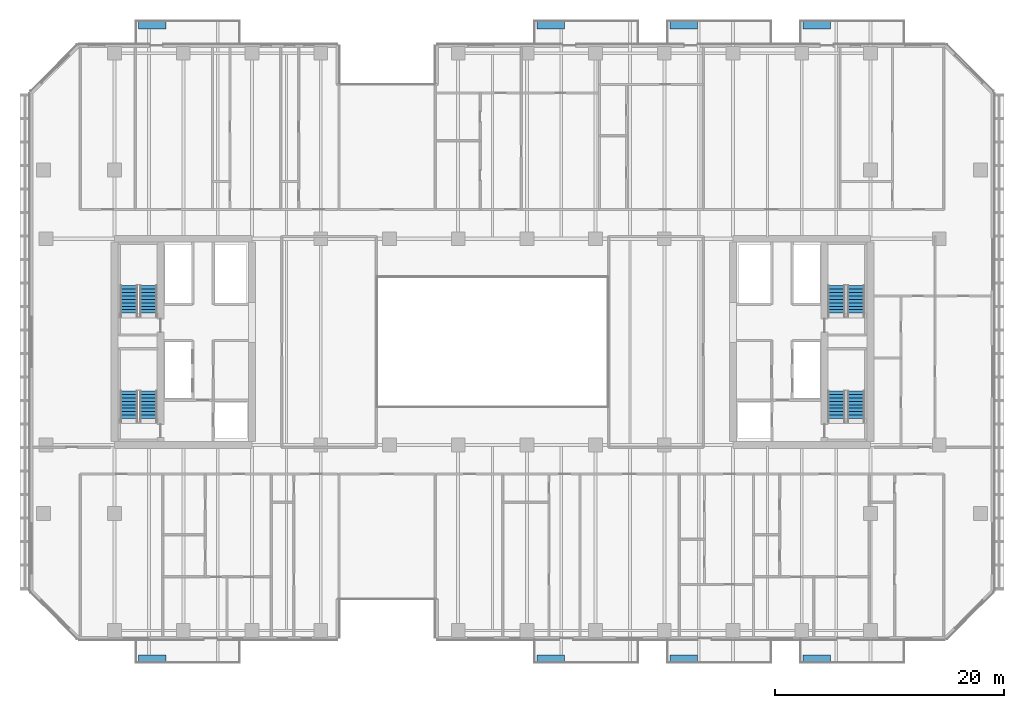
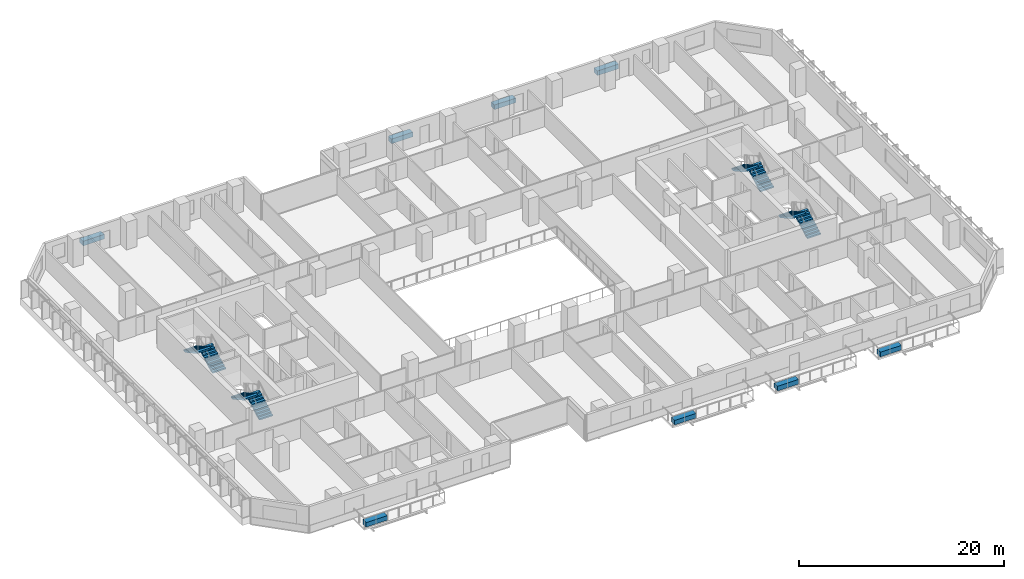
# One storey, part 17 of 26: 8 discrete accessories, 8 stair flights, 4 elements without a shape of their own.
"""IFC4 building model written with IfcOpenShell, lengths in metres."""

from ifc_helpers import new_model, si_unit, direction, frame, origin, origin_2d, place, context, subcontext, project, spatial, polyline, rectangle, outline, extrude, material, type_object, element, aggregate, save


model = new_model("IFC4")

# Units and contexts
model_context = context("Model", 3, precision=1e-05, world=origin(), true_north=direction((0.0, 1.0)))
body_context = subcontext(model_context, "Body", "Model", "MODEL_VIEW")
ifc_project = project(units=[si_unit("LENGTHUNIT", "METRE"), si_unit("AREAUNIT", "SQUARE_METRE"), si_unit("VOLUMEUNIT", "CUBIC_METRE"), si_unit("PLANEANGLEUNIT", "RADIAN"), si_unit("MASSUNIT", "GRAM", prefix="KILO")], contexts=[model_context])

# Site, building, storey
site_placement = place(None, origin())
site = spatial("IfcSite", under=ifc_project, at=site_placement, CompositionType="ELEMENT")
building_placement = place(site_placement, origin())
building = spatial("IfcBuilding", under=site, at=building_placement, Name="Tanjung Sevakor Pilgrim Tower", CompositionType="ELEMENT")
storey_placement = place(building_placement, frame((0.0, 0.0, 48.840087890625)))
storey = spatial("IfcBuildingStorey", under=building, at=storey_placement, Name="L13", CompositionType="ELEMENT", Elevation=48.840087890625)

# Stair, stair flights
ifc_material_1 = material(Name="Concrete C40/50", Category="concrete")
stair_type = type_object("IfcStairType", Name="STAIR-ST-CR150", PredefinedType="HALF_TURN_STAIR", material=ifc_material_1)
stair_1_placement = place(storey_placement, origin())
stair_1 = element("IfcStair", 1, at=stair_1_placement, inside=storey, type_object=stair_type, Name="L13 West Core Exit Stair 1", PredefinedType="HALF_TURN_STAIR")
ifc_material_2 = material(Name="Concrete C40/50", Category="concrete")
stair_flight_type = type_object("IfcStairFlightType", Name="FLIGHT-ST-CR150", PredefinedType="STRAIGHT", material=ifc_material_2)
stair_flight_1_placement = place(storey_placement, frame((26.949951171875, 26.60009765625, 0.0), z_axis=(0.0, 0.0, 1.0), x_axis=(0.0, 1.0, 0.0)))
stair_flight_1 = element("IfcStairFlight", 2, at=stair_flight_1_placement, type_object=stair_flight_type, Name="TS-W1 flight 1", NumberOfRisers=10, NumberOfTreads=9, PredefinedType="STRAIGHT", RiserHeight=0.165, TreadLength=0.3, context=body_context, shape_type="SweptSolid", body=[
    extrude(outline(polyline([(0.0, 0.0), (0.0, 0.1650390625), (0.300048828125, 0.1650390625), (0.300048828125, 0.330078125), (0.60009765625, 0.330078125), (0.60009765625, 0.4951171875), (0.89990234375, 0.4951171875), (0.89990234375, 0.659912109375), (1.199951171875, 0.659912109375), (1.199951171875, 0.824951171875), (1.5, 0.824951171875), (1.5, 0.989990234375), (1.800048828125, 0.989990234375), (1.800048828125, 1.155029296875), (2.10009765625, 1.155029296875), (2.10009765625, 1.320068359375), (2.39990234375, 1.320068359375), (2.39990234375, 1.485107421875), (2.699951171875, 1.485107421875), (2.699951171875, 1.64990234375), (2.699951171875, 1.302490234375), (0.331787109375, 0.0), (0.0, 0.0)])), frame((0.0, 0.75, 0.0), z_axis=(0.0, -1.0, 0.0), x_axis=(1.0, 0.0, 0.0)), (0.0, 0.0, 1.0), 1.5),
])
stair_flight_2_placement = place(storey_placement, frame((25.25, 29.300048828125, 1.64990234375), z_axis=(0.0, 0.0, 1.0), x_axis=(0.0, -1.0, 0.0)))
stair_flight_2 = element("IfcStairFlight", 3, at=stair_flight_2_placement, type_object=stair_flight_type, Name="TS-W1 flight 2", NumberOfRisers=10, NumberOfTreads=9, PredefinedType="STRAIGHT", RiserHeight=0.165, TreadLength=0.3, context=body_context, shape_type="SweptSolid", body=[
    extrude(outline(polyline([(0.0, 0.0), (0.0, 0.1650390625), (0.300048828125, 0.1650390625), (0.300048828125, 0.330078125), (0.60009765625, 0.330078125), (0.60009765625, 0.4951171875), (0.89990234375, 0.4951171875), (0.89990234375, 0.659912109375), (1.199951171875, 0.659912109375), (1.199951171875, 0.824951171875), (1.5, 0.824951171875), (1.5, 0.989990234375), (1.800048828125, 0.989990234375), (1.800048828125, 1.155029296875), (2.10009765625, 1.155029296875), (2.10009765625, 1.320068359375), (2.39990234375, 1.320068359375), (2.39990234375, 1.485107421875), (2.699951171875, 1.485107421875), (2.699951171875, 1.64990234375), (2.699951171875, 1.302490234375), (0.331787109375, 0.0), (0.0, 0.0)])), frame((0.0, 0.75, 0.0), z_axis=(0.0, -1.0, 0.0), x_axis=(1.0, 0.0, 0.0)), (0.0, 0.0, 1.0), 1.5),
])
aggregate(stair_1, [stair_flight_1, stair_flight_2])

stair_2_placement = place(storey_placement, origin())
stair_2 = element("IfcStair", 4, at=stair_2_placement, inside=storey, type_object=stair_type, Name="L13 West Core Exit Stair 2", PredefinedType="HALF_TURN_STAIR")
stair_flight_3_placement = place(storey_placement, frame((26.949951171875, 35.800048828125, 0.0), z_axis=(0.0, 0.0, 1.0), x_axis=(0.0, 1.0, 0.0)))
stair_flight_3 = element("IfcStairFlight", 5, at=stair_flight_3_placement, type_object=stair_flight_type, Name="TS-W2 flight 1", NumberOfRisers=10, NumberOfTreads=9, PredefinedType="STRAIGHT", RiserHeight=0.165, TreadLength=0.3, context=body_context, shape_type="SweptSolid", body=[
    extrude(outline(polyline([(0.0, 0.0), (0.0, 0.1650390625), (0.300048828125, 0.1650390625), (0.300048828125, 0.330078125), (0.60009765625, 0.330078125), (0.60009765625, 0.4951171875), (0.89990234375, 0.4951171875), (0.89990234375, 0.659912109375), (1.199951171875, 0.659912109375), (1.199951171875, 0.824951171875), (1.5, 0.824951171875), (1.5, 0.989990234375), (1.800048828125, 0.989990234375), (1.800048828125, 1.155029296875), (2.10009765625, 1.155029296875), (2.10009765625, 1.320068359375), (2.39990234375, 1.320068359375), (2.39990234375, 1.485107421875), (2.699951171875, 1.485107421875), (2.699951171875, 1.64990234375), (2.699951171875, 1.302490234375), (0.331787109375, 0.0), (0.0, 0.0)])), frame((0.0, 0.75, 0.0), z_axis=(0.0, -1.0, 0.0), x_axis=(1.0, 0.0, 0.0)), (0.0, 0.0, 1.0), 1.5),
])
stair_flight_4_placement = place(storey_placement, frame((25.25, 38.5, 1.64990234375), z_axis=(0.0, 0.0, 1.0), x_axis=(0.0, -1.0, 0.0)))
stair_flight_4 = element("IfcStairFlight", 6, at=stair_flight_4_placement, type_object=stair_flight_type, Name="TS-W2 flight 2", NumberOfRisers=10, NumberOfTreads=9, PredefinedType="STRAIGHT", RiserHeight=0.165, TreadLength=0.3, context=body_context, shape_type="SweptSolid", body=[
    extrude(outline(polyline([(0.0, 0.0), (0.0, 0.1650390625), (0.300048828125, 0.1650390625), (0.300048828125, 0.330078125), (0.60009765625, 0.330078125), (0.60009765625, 0.4951171875), (0.89990234375, 0.4951171875), (0.89990234375, 0.659912109375), (1.199951171875, 0.659912109375), (1.199951171875, 0.824951171875), (1.5, 0.824951171875), (1.5, 0.989990234375), (1.800048828125, 0.989990234375), (1.800048828125, 1.155029296875), (2.10009765625, 1.155029296875), (2.10009765625, 1.320068359375), (2.39990234375, 1.320068359375), (2.39990234375, 1.485107421875), (2.699951171875, 1.485107421875), (2.699951171875, 1.64990234375), (2.699951171875, 1.302490234375), (0.331787109375, 0.0), (0.0, 0.0)])), frame((0.0, 0.75, 0.0), z_axis=(0.0, -1.0, 0.0), x_axis=(1.0, 0.0, 0.0)), (0.0, 0.0, 1.0), 1.5),
])
aggregate(stair_2, [stair_flight_3, stair_flight_4])

stair_3_placement = place(storey_placement, origin())
stair_3 = element("IfcStair", 7, at=stair_3_placement, inside=storey, type_object=stair_type, Name="L13 East Core Exit Stair 1", PredefinedType="HALF_TURN_STAIR")
stair_flight_5_placement = place(storey_placement, frame((88.75, 26.60009765625, 0.0), z_axis=(0.0, 0.0, 1.0), x_axis=(0.0, 1.0, 0.0)))
stair_flight_5 = element("IfcStairFlight", 8, at=stair_flight_5_placement, type_object=stair_flight_type, Name="TS-E1 flight 1", NumberOfRisers=10, NumberOfTreads=9, PredefinedType="STRAIGHT", RiserHeight=0.165, TreadLength=0.3, context=body_context, shape_type="SweptSolid", body=[
    extrude(outline(polyline([(0.0, 0.0), (0.0, 0.1650390625), (0.300048828125, 0.1650390625), (0.300048828125, 0.330078125), (0.60009765625, 0.330078125), (0.60009765625, 0.4951171875), (0.89990234375, 0.4951171875), (0.89990234375, 0.659912109375), (1.199951171875, 0.659912109375), (1.199951171875, 0.824951171875), (1.5, 0.824951171875), (1.5, 0.989990234375), (1.800048828125, 0.989990234375), (1.800048828125, 1.155029296875), (2.10009765625, 1.155029296875), (2.10009765625, 1.320068359375), (2.39990234375, 1.320068359375), (2.39990234375, 1.485107421875), (2.699951171875, 1.485107421875), (2.699951171875, 1.64990234375), (2.699951171875, 1.302490234375), (0.331787109375, 0.0), (0.0, 0.0)])), frame((0.0, 0.75, 0.0), z_axis=(0.0, -1.0, 0.0), x_axis=(1.0, 0.0, 0.0)), (0.0, 0.0, 1.0), 1.5),
])
stair_flight_6_placement = place(storey_placement, frame((87.050048828125, 29.300048828125, 1.64990234375), z_axis=(0.0, 0.0, 1.0), x_axis=(0.0, -1.0, 0.0)))
stair_flight_6 = element("IfcStairFlight", 9, at=stair_flight_6_placement, type_object=stair_flight_type, Name="TS-E1 flight 2", NumberOfRisers=10, NumberOfTreads=9, PredefinedType="STRAIGHT", RiserHeight=0.165, TreadLength=0.3, context=body_context, shape_type="SweptSolid", body=[
    extrude(outline(polyline([(0.0, 0.0), (0.0, 0.1650390625), (0.300048828125, 0.1650390625), (0.300048828125, 0.330078125), (0.60009765625, 0.330078125), (0.60009765625, 0.4951171875), (0.89990234375, 0.4951171875), (0.89990234375, 0.659912109375), (1.199951171875, 0.659912109375), (1.199951171875, 0.824951171875), (1.5, 0.824951171875), (1.5, 0.989990234375), (1.800048828125, 0.989990234375), (1.800048828125, 1.155029296875), (2.10009765625, 1.155029296875), (2.10009765625, 1.320068359375), (2.39990234375, 1.320068359375), (2.39990234375, 1.485107421875), (2.699951171875, 1.485107421875), (2.699951171875, 1.64990234375), (2.699951171875, 1.302490234375), (0.331787109375, 0.0), (0.0, 0.0)])), frame((0.0, 0.75, 0.0), z_axis=(0.0, -1.0, 0.0), x_axis=(1.0, 0.0, 0.0)), (0.0, 0.0, 1.0), 1.5),
])
aggregate(stair_3, [stair_flight_5, stair_flight_6])

stair_4_placement = place(storey_placement, origin())
stair_4 = element("IfcStair", 10, at=stair_4_placement, inside=storey, type_object=stair_type, Name="L13 East Core Exit Stair 2", PredefinedType="HALF_TURN_STAIR")
stair_flight_7_placement = place(storey_placement, frame((88.75, 35.800048828125, 0.0), z_axis=(0.0, 0.0, 1.0), x_axis=(0.0, 1.0, 0.0)))
stair_flight_7 = element("IfcStairFlight", 11, at=stair_flight_7_placement, type_object=stair_flight_type, Name="TS-E2 flight 1", NumberOfRisers=10, NumberOfTreads=9, PredefinedType="STRAIGHT", RiserHeight=0.165, TreadLength=0.3, context=body_context, shape_type="SweptSolid", body=[
    extrude(outline(polyline([(0.0, 0.0), (0.0, 0.1650390625), (0.300048828125, 0.1650390625), (0.300048828125, 0.330078125), (0.60009765625, 0.330078125), (0.60009765625, 0.4951171875), (0.89990234375, 0.4951171875), (0.89990234375, 0.659912109375), (1.199951171875, 0.659912109375), (1.199951171875, 0.824951171875), (1.5, 0.824951171875), (1.5, 0.989990234375), (1.800048828125, 0.989990234375), (1.800048828125, 1.155029296875), (2.10009765625, 1.155029296875), (2.10009765625, 1.320068359375), (2.39990234375, 1.320068359375), (2.39990234375, 1.485107421875), (2.699951171875, 1.485107421875), (2.699951171875, 1.64990234375), (2.699951171875, 1.302490234375), (0.331787109375, 0.0), (0.0, 0.0)])), frame((0.0, 0.75, 0.0), z_axis=(0.0, -1.0, 0.0), x_axis=(1.0, 0.0, 0.0)), (0.0, 0.0, 1.0), 1.5),
])
stair_flight_8_placement = place(storey_placement, frame((87.050048828125, 38.5, 1.64990234375), z_axis=(0.0, 0.0, 1.0), x_axis=(0.0, -1.0, 0.0)))
stair_flight_8 = element("IfcStairFlight", 12, at=stair_flight_8_placement, type_object=stair_flight_type, Name="TS-E2 flight 2", NumberOfRisers=10, NumberOfTreads=9, PredefinedType="STRAIGHT", RiserHeight=0.165, TreadLength=0.3, context=body_context, shape_type="SweptSolid", body=[
    extrude(outline(polyline([(0.0, 0.0), (0.0, 0.1650390625), (0.300048828125, 0.1650390625), (0.300048828125, 0.330078125), (0.60009765625, 0.330078125), (0.60009765625, 0.4951171875), (0.89990234375, 0.4951171875), (0.89990234375, 0.659912109375), (1.199951171875, 0.659912109375), (1.199951171875, 0.824951171875), (1.5, 0.824951171875), (1.5, 0.989990234375), (1.800048828125, 0.989990234375), (1.800048828125, 1.155029296875), (2.10009765625, 1.155029296875), (2.10009765625, 1.320068359375), (2.39990234375, 1.320068359375), (2.39990234375, 1.485107421875), (2.699951171875, 1.485107421875), (2.699951171875, 1.64990234375), (2.699951171875, 1.302490234375), (0.331787109375, 0.0), (0.0, 0.0)])), frame((0.0, 0.75, 0.0), z_axis=(0.0, -1.0, 0.0), x_axis=(1.0, 0.0, 0.0)), (0.0, 0.0, 1.0), 1.5),
])
aggregate(stair_4, [stair_flight_7, stair_flight_8])

# Discrete accessories
ifc_material_3 = material(Name="Reconstructed Limestone Precast C45/55", Category="masonry")
discrete_accessory_type = type_object("IfcDiscreteAccessoryType", Name="ACC-PLANTER-STN2", PredefinedType="USERDEFINED", material=ifc_material_3)
for number, where, z_axis, x_axis, name in (
    (13, (27.300048828125, 5.949951171875, 0.0), (0.0, 0.0, 1.0), (1.0, 0.0, 0.0), "L13 Balcony Stone Planter 007"),
    (14, (27.300048828125, 61.25, 0.0), (0.0, 0.0, 1.0), (1.0, 0.0, 0.0), "L13 Balcony Stone Planter 008"),
    (15, (62.10009765625, 5.949951171875, 0.0), (0.0, 0.0, 1.0), (1.0, 0.0, 0.0), "L13 Balcony Stone Planter 009"),
    (16, (62.10009765625, 61.25, 0.0), (0.0, 0.0, 1.0), (1.0, 0.0, 0.0), "L13 Balcony Stone Planter 010"),
    (17, (73.699951171875, 5.949951171875, 0.0), (0.0, 0.0, 1.0), (1.0, 0.0, 0.0), "L13 Balcony Stone Planter 011"),
    (18, (73.699951171875, 61.25, 0.0), (0.0, 0.0, 1.0), (1.0, 0.0, 0.0), "L13 Balcony Stone Planter 012"),
    (19, (85.300048828125, 5.949951171875, 0.0), (0.0, 0.0, 1.0), (1.0, 0.0, 0.0), "L13 Balcony Stone Planter 013"),
    (20, (85.300048828125, 61.25, 0.0), (0.0, 0.0, 1.0), (1.0, 0.0, 0.0), "L13 Balcony Stone Planter 014"),
):
    element("IfcDiscreteAccessory", number, at=place(storey_placement, frame(where, z_axis=z_axis, x_axis=x_axis)), inside=storey, type_object=discrete_accessory_type, Name=name, ObjectType="PLANTER", PredefinedType="USERDEFINED", context=body_context, shape_type="SweptSolid", body=[
        extrude(rectangle(XDim=2.39990234375, YDim=0.64990234375, at=origin_2d()), origin(), (0.0, 0.0, 1.0), 0.550048828125),
    ])

save(model, "model.ifc")
